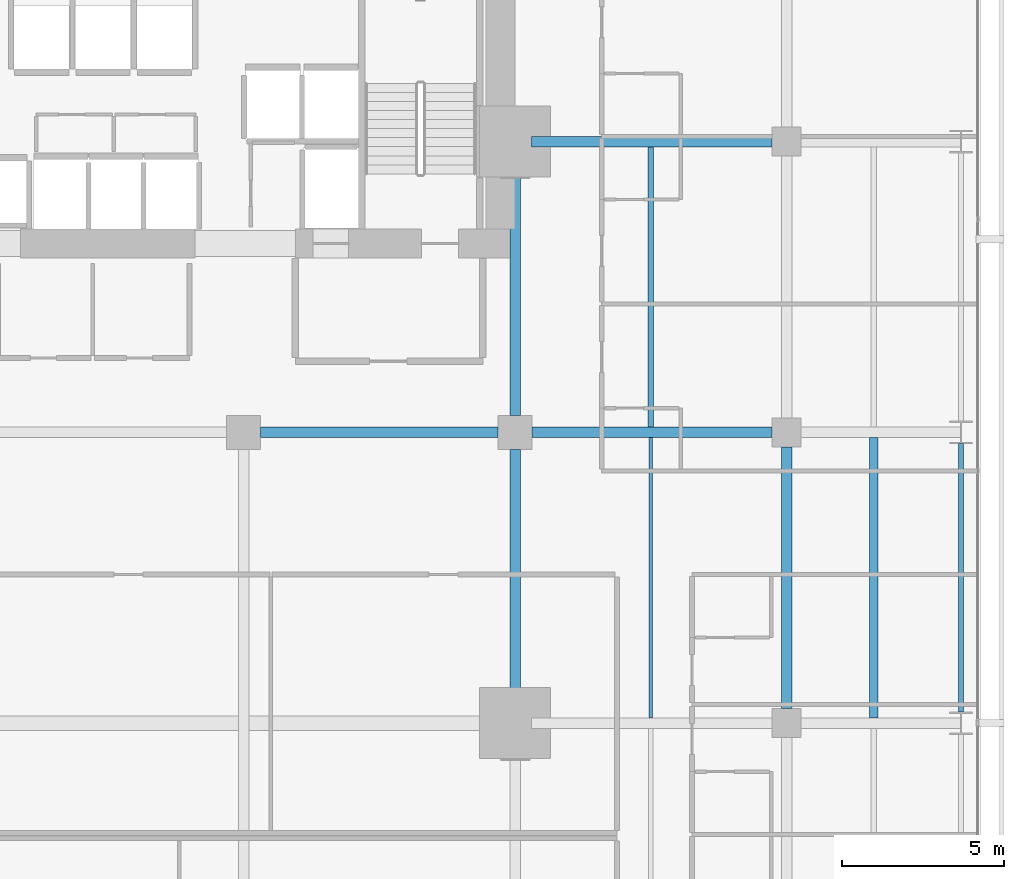
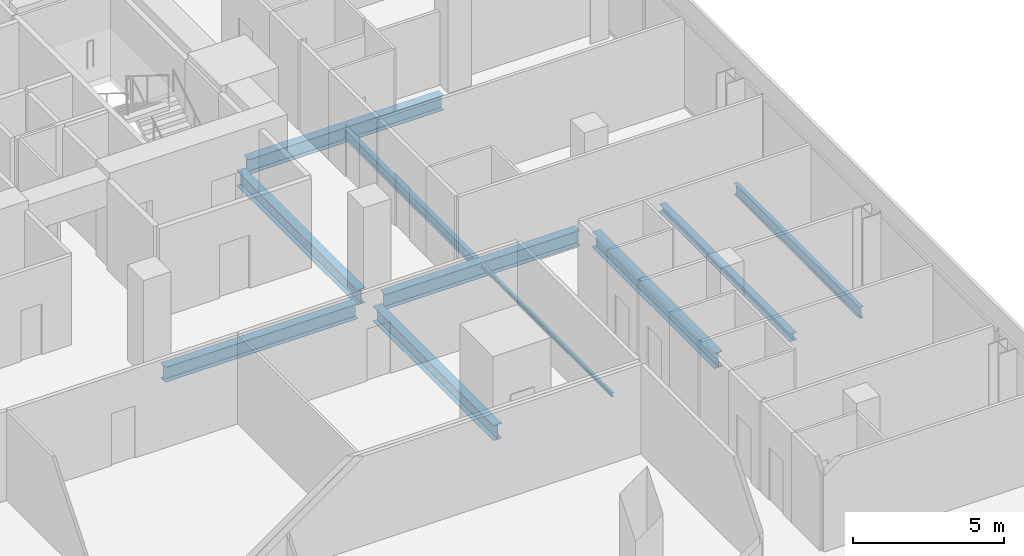
# One storey, part 27 of 41: 10 beams.
"""IFC4 building model written with IfcOpenShell, lengths in metres."""

from ifc_helpers import new_model, si_unit, direction, frame, origin, origin_2d, place, context, subcontext, project, spatial, i_section, extrude, material, material_profile, profile_set, type_object, element, save


model = new_model("IFC4")

# Units and contexts
model_context = context("Model", 3, precision=1e-05, world=origin(), true_north=direction((0.0, 1.0)))
body_context = subcontext(model_context, "Body", "Model", "MODEL_VIEW")
ifc_project = project(units=[si_unit("LENGTHUNIT", "METRE"), si_unit("AREAUNIT", "SQUARE_METRE"), si_unit("VOLUMEUNIT", "CUBIC_METRE"), si_unit("PLANEANGLEUNIT", "RADIAN"), si_unit("MASSUNIT", "GRAM", prefix="KILO")], contexts=[model_context])

# Site, building, storey
site_placement = place(None, origin())
site = spatial("IfcSite", under=ifc_project, at=site_placement, CompositionType="ELEMENT")
building_placement = place(site_placement, origin())
building = spatial("IfcBuilding", under=site, at=building_placement, Name="Maruvema Waterfront Hotel and Observation Tower", CompositionType="ELEMENT")
storey_placement = place(building_placement, frame((0.0, 0.0, 84.699951171875)))
storey = spatial("IfcBuildingStorey", under=building, at=storey_placement, Name="L20", CompositionType="ELEMENT", Elevation=84.699951171875)

# Beams
ifc_material_1 = material(Name="Steel ASTM A572 Grade 50", Category="steel")
ifc_material_profile_1 = material_profile(ifc_material_1, i_section(OverallWidth=0.153076171875, OverallDepth=0.455078125, WebThickness=0.008056640625, FlangeThickness=0.01318359375, FilletRadius=0.014892578125, at=origin_2d()), Name="W460x60.0")
ifc_profile_set_1 = profile_set([ifc_material_profile_1], Name="Steel ASTM A572 Grade 50")
beam_type_1 = type_object("IfcBeamType", Name="Perimeter Spandrel Beam W460x60.0", PredefinedType="SPANDREL", material=ifc_profile_set_1)
beam_1_placement = place(storey_placement, frame((64.199951171875, 27.35009765625, -0.467529296875), z_axis=(0.0, 1.0, 0.0), x_axis=(-1.0, 0.0, 0.0)))
element("IfcBeam", 1, at=beam_1_placement, inside=storey, type_object=beam_type_1, Name="L20 Floor Girder NS-35", PredefinedType="SPANDREL", context=body_context, shape_type="SweptSolid", body=[
    extrude(i_section(OverallWidth=0.153076171875, OverallDepth=0.455078125, WebThickness=0.008056640625, FlangeThickness=0.01318359375, FilletRadius=0.014892578125, at=origin_2d()), origin(), (0.0, 0.0, 1.0), 8.2998046875),
])
ifc_material_2 = material(Name="Steel ASTM A572 Grade 50", Category="steel")
ifc_material_profile_2 = material_profile(ifc_material_2, i_section(OverallWidth=0.323974609375, OverallDepth=0.611083984375, WebThickness=0.0126953125, FlangeThickness=0.01904296875, FilletRadius=0.01806640625, at=origin_2d()), Name="W610x155.0")
ifc_profile_set_2 = profile_set([ifc_material_profile_2], Name="Steel ASTM A572 Grade 50")
beam_type_2 = type_object("IfcBeamType", Name="Primary Floor Girder W610x155.0", PredefinedType="BEAM", material=ifc_profile_set_2)
beam_2_placement = place(storey_placement, frame((42.52490234375, 36.0, -0.54541015625), z_axis=(1.0, 0.0, 0.0), x_axis=(0.0, 1.0, 0.0)))
element("IfcBeam", 2, at=beam_2_placement, inside=storey, type_object=beam_type_2, Name="L20 Floor Girder EW-29", PredefinedType="BEAM", context=body_context, shape_type="SweptSolid", body=[
    extrude(i_section(OverallWidth=0.323974609375, OverallDepth=0.611083984375, WebThickness=0.0126953125, FlangeThickness=0.01904296875, FilletRadius=0.01806640625, at=origin_2d()), origin(), (0.0, 0.0, 1.0), 7.35009765625),
])
beam_3_placement = place(storey_placement, frame((50.925048828125, 36.0, -0.54541015625), z_axis=(1.0, 0.0, 0.0), x_axis=(0.0, 1.0, 0.0)))
element("IfcBeam", 3, at=beam_3_placement, inside=storey, type_object=beam_type_2, Name="L20 Floor Girder EW-30", PredefinedType="BEAM", context=body_context, shape_type="SweptSolid", body=[
    extrude(i_section(OverallWidth=0.323974609375, OverallDepth=0.611083984375, WebThickness=0.0126953125, FlangeThickness=0.01904296875, FilletRadius=0.01806640625, at=origin_2d()), origin(), (0.0, 0.0, 1.0), 7.425048828125),
])
beam_4_placement = place(storey_placement, frame((50.89990234375, 45.0, -0.54541015625), z_axis=(1.0, 0.0, 0.0), x_axis=(0.0, 1.0, 0.0)))
element("IfcBeam", 4, at=beam_4_placement, inside=storey, type_object=beam_type_2, Name="L20 Floor Girder EW-34", PredefinedType="BEAM", context=body_context, shape_type="SweptSolid", body=[
    extrude(i_section(OverallWidth=0.323974609375, OverallDepth=0.611083984375, WebThickness=0.0126953125, FlangeThickness=0.01904296875, FilletRadius=0.01806640625, at=origin_2d()), origin(), (0.0, 0.0, 1.0), 7.4501953125),
])
for number, where, z_axis, x_axis, name in (
    (5, (50.39990234375, 27.5, -0.54541015625), (0.0, 1.0, 0.0), (-1.0, 0.0, 0.0), "L20 Floor Girder NS-25"),
    (6, (50.39990234375, 36.52490234375, -0.54541015625), (0.0, 1.0, 0.0), (-1.0, 0.0, 0.0), "L20 Floor Girder NS-26"),
):
    element("IfcBeam", number, at=place(storey_placement, frame(where, z_axis=z_axis, x_axis=x_axis)), inside=storey, type_object=beam_type_2, Name=name, PredefinedType="BEAM", context=body_context, shape_type="SweptSolid", body=[
        extrude(i_section(OverallWidth=0.323974609375, OverallDepth=0.611083984375, WebThickness=0.0126953125, FlangeThickness=0.01904296875, FilletRadius=0.01806640625, at=origin_2d()), origin(), (0.0, 0.0, 1.0), 7.97509765625),
    ])
beam_5_placement = place(storey_placement, frame((58.800048828125, 27.449951171875, -0.54541015625), z_axis=(0.0, 1.0, 0.0), x_axis=(-1.0, 0.0, 0.0)))
element("IfcBeam", 7, at=beam_5_placement, inside=storey, type_object=beam_type_2, Name="L20 Floor Girder NS-30", PredefinedType="BEAM", context=body_context, shape_type="SweptSolid", body=[
    extrude(i_section(OverallWidth=0.323974609375, OverallDepth=0.611083984375, WebThickness=0.0126953125, FlangeThickness=0.01904296875, FilletRadius=0.01806640625, at=origin_2d()), origin(), (0.0, 0.0, 1.0), 8.10009765625),
])
ifc_material_3 = material(Name="Steel ASTM A572 Grade 50", Category="steel")
ifc_material_profile_3 = material_profile(ifc_material_3, i_section(OverallWidth=0.10009765625, OverallDepth=0.153076171875, WebThickness=0.005859375, FlangeThickness=0.007080078125, FilletRadius=0.008056640625, at=origin_2d()), Name="W150x18.0")
ifc_profile_set_3 = profile_set([ifc_material_profile_3], Name="Steel ASTM A572 Grade 50")
beam_type_3 = type_object("IfcBeamType", Name="Secondary Floor Joist W150x18.0", PredefinedType="JOIST", material=ifc_profile_set_3)
beam_6_placement = place(storey_placement, frame((54.60009765625, 27.162109375, -0.31640625), z_axis=(0.0, 1.0, 0.0), x_axis=(-1.0, 0.0, 0.0)))
element("IfcBeam", 8, at=beam_6_placement, inside=storey, type_object=beam_type_3, Name="L20 Secondary Floor Joist JS-19", PredefinedType="JOIST", context=body_context, shape_type="SweptSolid", body=[
    extrude(i_section(OverallWidth=0.10009765625, OverallDepth=0.153076171875, WebThickness=0.005859375, FlangeThickness=0.007080078125, FilletRadius=0.008056640625, at=origin_2d()), origin(), (0.0, 0.0, 1.0), 8.67578125),
])
ifc_material_4 = material(Name="Steel ASTM A572 Grade 50", Category="steel")
ifc_material_profile_4 = material_profile(ifc_material_4, i_section(OverallWidth=0.25390625, OverallDepth=0.305908203125, WebThickness=0.0087890625, FlangeThickness=0.0146484375, FilletRadius=0.014892578125, at=origin_2d()), Name="W310x79.0")
ifc_profile_set_4 = profile_set([ifc_material_profile_4], Name="Steel ASTM A572 Grade 50")
beam_type_4 = type_object("IfcBeamType", Name="Secondary Floor Joist W310x79.0", PredefinedType="JOIST", material=ifc_profile_set_4)
beam_7_placement = place(storey_placement, frame((61.5, 27.162109375, -0.39306640625), z_axis=(0.0, 1.0, 0.0), x_axis=(-1.0, 0.0, 0.0)))
element("IfcBeam", 9, at=beam_7_placement, inside=storey, type_object=beam_type_4, Name="L20 Secondary Floor Joist JS-23", PredefinedType="JOIST", context=body_context, shape_type="SweptSolid", body=[
    extrude(i_section(OverallWidth=0.25390625, OverallDepth=0.305908203125, WebThickness=0.0087890625, FlangeThickness=0.0146484375, FilletRadius=0.014892578125, at=origin_2d()), origin(), (0.0, 0.0, 1.0), 8.67578125),
])
ifc_material_5 = material(Name="Steel ASTM A572 Grade 50", Category="steel")
ifc_material_profile_5 = material_profile(ifc_material_5, i_section(OverallWidth=0.177001953125, OverallDepth=0.403076171875, WebThickness=0.007568359375, FlangeThickness=0.010986328125, FilletRadius=0.014892578125, at=origin_2d()), Name="W410x53.0")
ifc_profile_set_5 = profile_set([ifc_material_profile_5], Name="Steel ASTM A572 Grade 50")
beam_type_5 = type_object("IfcBeamType", Name="Secondary Floor Joist W410x53.0", PredefinedType="JOIST", material=ifc_profile_set_5)
beam_8_placement = place(storey_placement, frame((54.60009765625, 36.162109375, -0.44140625), z_axis=(0.0, 1.0, 0.0), x_axis=(-1.0, 0.0, 0.0)))
element("IfcBeam", 10, at=beam_8_placement, inside=storey, type_object=beam_type_5, Name="L20 Secondary Floor Joist JS-20", PredefinedType="JOIST", context=body_context, shape_type="SweptSolid", body=[
    extrude(i_section(OverallWidth=0.177001953125, OverallDepth=0.403076171875, WebThickness=0.007568359375, FlangeThickness=0.010986328125, FilletRadius=0.014892578125, at=origin_2d()), origin(), (0.0, 0.0, 1.0), 8.67578125),
])

save(model, "model.ifc")
